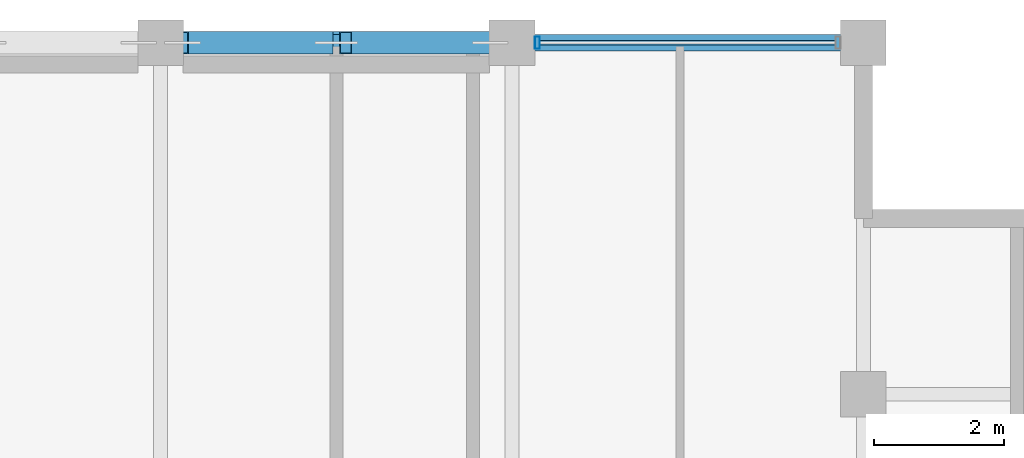
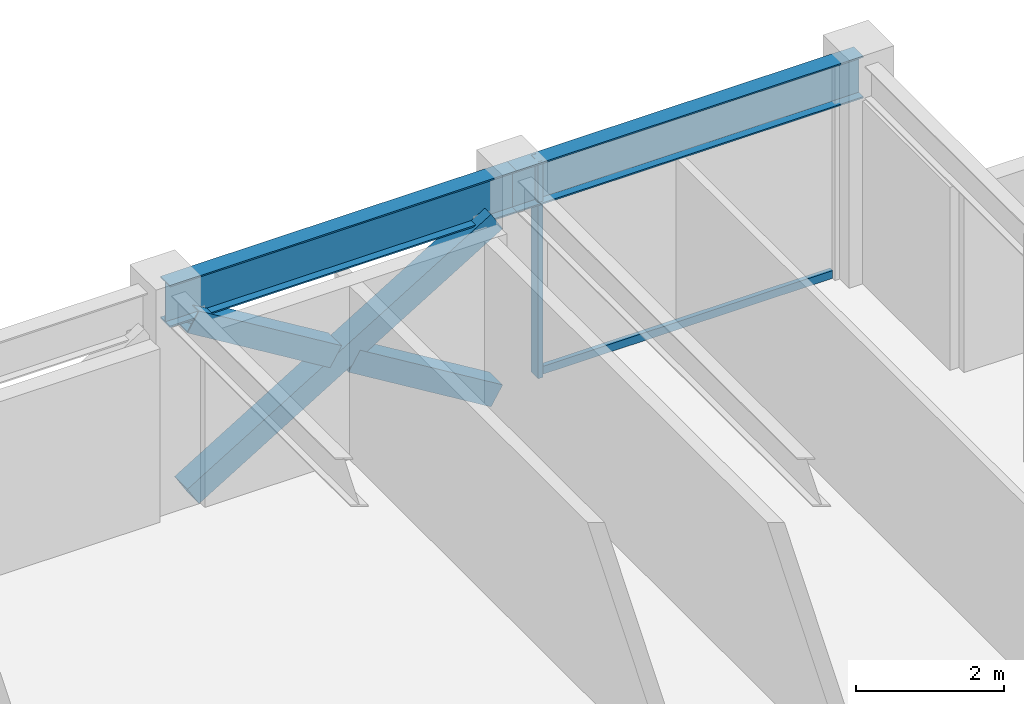
# One storey, part 20 of 31: 5 members, 2 beams, 1 element without a shape of its own.
"""IFC4 building model written with IfcOpenShell, lengths in metres."""

from ifc_helpers import new_model, si_unit, direction, frame, origin, origin_2d, place, context, subcontext, project, spatial, hollow_rectangle, i_section, extrude, material, layer, layer_set, material_profile, profile_set, type_object, element, aggregate, save


model = new_model("IFC4")

# Units and contexts
model_context = context("Model", 3, precision=1e-05, world=origin(), true_north=direction((0.0, 1.0)))
body_context = subcontext(model_context, "Body", "Model", "MODEL_VIEW")
ifc_project = project(units=[si_unit("LENGTHUNIT", "METRE"), si_unit("AREAUNIT", "SQUARE_METRE"), si_unit("VOLUMEUNIT", "CUBIC_METRE"), si_unit("PLANEANGLEUNIT", "RADIAN"), si_unit("MASSUNIT", "GRAM", prefix="KILO")], contexts=[model_context])

# Site, building, storey
site_placement = place(None, origin())
site = spatial("IfcSite", under=ifc_project, at=site_placement, CompositionType="ELEMENT")
building_placement = place(site_placement, origin())
building = spatial("IfcBuilding", under=site, at=building_placement, Name="Surkhivell Harbour Commons", CompositionType="ELEMENT")
storey_placement = place(building_placement, frame((0.0, 0.0, 318.75)))
storey = spatial("IfcBuildingStorey", under=building, at=storey_placement, Name="L83", CompositionType="ELEMENT", Elevation=318.75)

# Beams
ifc_material_1 = material(Name="Steel S355", Category="steel")
ifc_material_profile_1 = material_profile(ifc_material_1, i_section(OverallWidth=0.256103515625, OverallDepth=0.693115234375, WebThickness=0.014404296875, FlangeThickness=0.023681640625, at=origin_2d()), Name="UB686x254x170")
ifc_profile_set_1 = profile_set([ifc_material_profile_1], Name="Steel S355")
beam_type = type_object("IfcBeamType", Name="BM-SPN-686", PredefinedType="SPANDREL", material=ifc_profile_set_1)
beam_1_placement = place(storey_placement, frame((0.0, 25.89990234375, 3.223388671875), z_axis=(1.0, 0.0, 0.0), x_axis=(0.0, 1.0, 0.0)))
element("IfcBeam", 1, at=beam_1_placement, inside=storey, type_object=beam_type, Name="L83 Tube Spandrel (-0.0,25.9)", PredefinedType="SPANDREL", context=body_context, shape_type="SweptSolid", body=[
    extrude(i_section(OverallWidth=0.256103515625, OverallDepth=0.693115234375, WebThickness=0.014404296875, FlangeThickness=0.023681640625, at=origin_2d()), origin(), (0.0, 0.0, 1.0), 5.39990234375),
])
beam_2_placement = place(storey_placement, frame((5.39990234375, 25.89990234375, 3.223388671875), z_axis=(1.0, 0.0, 0.0), x_axis=(0.0, 1.0, 0.0)))
element("IfcBeam", 2, at=beam_2_placement, inside=storey, type_object=beam_type, Name="L83 Tube Spandrel (5.4,25.9)", PredefinedType="SPANDREL", context=body_context, shape_type="SweptSolid", body=[
    extrude(i_section(OverallWidth=0.256103515625, OverallDepth=0.693115234375, WebThickness=0.014404296875, FlangeThickness=0.023681640625, at=origin_2d()), origin(), (0.0, 0.0, 1.0), 5.400146484375),
])

# Curtain wall, members
ifc_material_2 = material(Name="Anodised pale-metal aluminium and insulated glazing", Category="aluminium")
ifc_layer = layer(ifc_material_2, 0.175048828125)
ifc_layer_set = layer_set([ifc_layer], Name="Anodised pale-metal aluminium and insulated glazing")
curtain_wall_type = type_object("IfcCurtainWallType", Name="CW-SYS-Z4", PredefinedType="NOTDEFINED", material=ifc_layer_set)
curtain_wall_placement = place(storey_placement, origin())
curtain_wall = element("IfcCurtainWall", 3, at=curtain_wall_placement, inside=storey, type_object=curtain_wall_type, Name="L83 Curtain Wall CW-L83-E07S1", PredefinedType="NOTDEFINED")
ifc_material_3 = material(Name="Anodised pale-metal aluminium alloy 6063-T6", Category="aluminium")
ifc_material_profile_2 = material_profile(ifc_material_3, hollow_rectangle(XDim=0.074951171875, YDim=0.18994140625, WallThickness=0.00390625, at=origin_2d()), Name="ALU-MULL-75x190")
ifc_profile_set_2 = profile_set([ifc_material_profile_2], Name="Anodised pale-metal aluminium alloy 6063-T6")
member_type_1 = type_object("IfcMemberType", Name="CWM-190", PredefinedType="MULLION", material=ifc_profile_set_2)
member_1_placement = place(storey_placement, frame((5.78955078125, 25.89990234375, 0.0), z_axis=(0.0, 0.0, 1.0), x_axis=(-1.0, 0.0, 0.0)))
member_1 = element("IfcMember", 4, at=member_1_placement, type_object=member_type_1, Name="CW-Z4 mullion 2", PredefinedType="MULLION", context=body_context, shape_type="SweptSolid", body=[
    extrude(hollow_rectangle(XDim=0.074951171875, YDim=0.18994140625, WallThickness=0.00390625, at=origin_2d()), origin(), (0.0, 0.0, 1.0), 3.570068359375),
])
ifc_material_4 = material(Name="Champagne anodised aluminium alloy 6063-T6", Category="aluminium")
ifc_material_profile_3 = material_profile(ifc_material_4, hollow_rectangle(XDim=0.070068359375, YDim=0.1298828125, WallThickness=0.00341796875, at=origin_2d()), Name="ALU-TRAN-70x130")
ifc_profile_set_3 = profile_set([ifc_material_profile_3], Name="Champagne anodised aluminium alloy 6063-T6")
member_type_2 = type_object("IfcMemberType", Name="CWT-130", PredefinedType="USERDEFINED", material=ifc_profile_set_3)
member_2_placement = place(storey_placement, frame((10.373046875, 25.89990234375, 0.06494140625), z_axis=(-1.0, 0.0, 0.0), x_axis=(0.0, -1.0, 0.0)))
member_2 = element("IfcMember", 5, at=member_2_placement, type_object=member_type_2, Name="CW-Z4 transom 1.1", ObjectType="TRANSOM", PredefinedType="USERDEFINED", context=body_context, shape_type="SweptSolid", body=[
    extrude(hollow_rectangle(XDim=0.070068359375, YDim=0.1298828125, WallThickness=0.00341796875, at=origin_2d()), origin(), (0.0, 0.0, 1.0), 4.546142578125),
])
aggregate(curtain_wall, [member_1, member_2])

# Members
ifc_material_profile_4 = material_profile(ifc_material_1, hollow_rectangle(XDim=0.35009765625, YDim=0.35009765625, WallThickness=0.01611328125, at=origin_2d()), Name="SHS350x350x16")
ifc_profile_set_4 = profile_set([ifc_material_profile_4], Name="Steel S355")
member_type_3 = type_object("IfcMemberType", Name="MEM-BRC-SHS350", PredefinedType="BRACE", material=ifc_profile_set_4)
member_3_placement = place(storey_placement, frame((0.3349609375, 25.89990234375, 0.008056640625), z_axis=(0.854685454322, 0.0, 0.519146197299), x_axis=(0.0, 1.0, 0.0)))
element("IfcMember", 6, at=member_3_placement, inside=storey, type_object=member_type_3, Name="L83 Perimeter Mega-Brace MB- 04", PredefinedType="BRACE", context=body_context, shape_type="SweptSolid", body=[
    extrude(hollow_rectangle(XDim=0.35009765625, YDim=0.35009765625, WallThickness=0.01611328125, at=origin_2d()), origin(), (0.0, 0.0, 1.0), 5.5341796875),
])
for number, where, z_axis, x_axis, name in (
    (7, (5.06494140625, 25.89990234375, 0.008056640625), (-0.854678858595, 0.0, 0.51915705588), (0.0, -1.0, 0.0), "L83 Perimeter Mega-Brace MB- 05"),
    (8, (2.556396484375, 25.89990234375, 1.53173828125), (-0.854678858595, 0.0, 0.51915705588), (0.0, -1.0, 0.0), "L83 Perimeter Mega-Brace MB- 06"),
):
    element("IfcMember", number, at=place(storey_placement, frame(where, z_axis=z_axis, x_axis=x_axis)), inside=storey, type_object=member_type_3, Name=name, PredefinedType="BRACE", context=body_context, shape_type="SweptSolid", body=[
        extrude(hollow_rectangle(XDim=0.35009765625, YDim=0.35009765625, WallThickness=0.01611328125, at=origin_2d()), origin(), (0.0, 0.0, 1.0), 2.59912109375),
    ])

save(model, "model.ifc")
